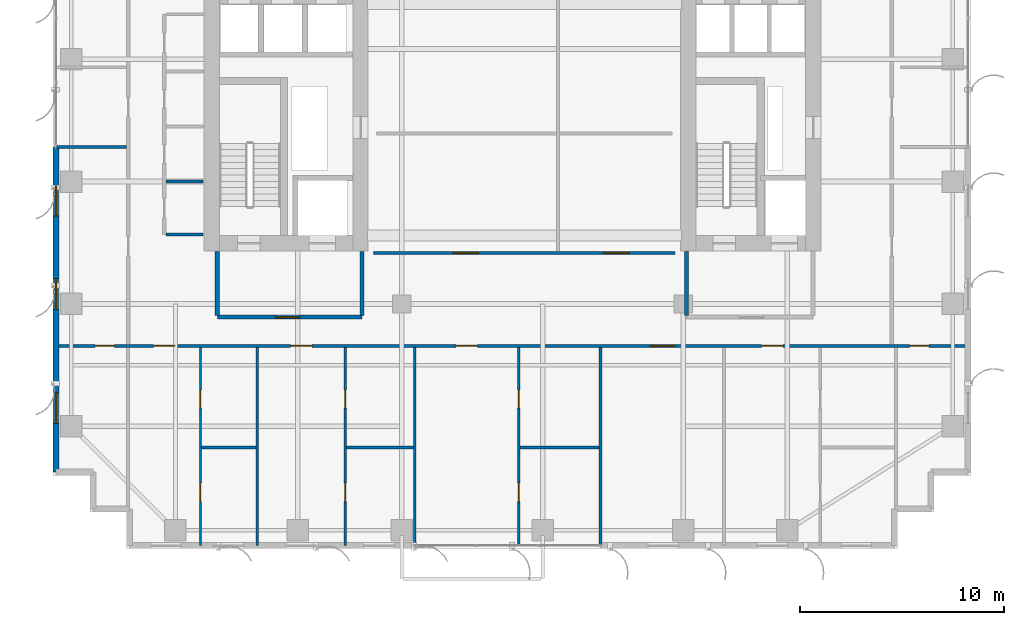
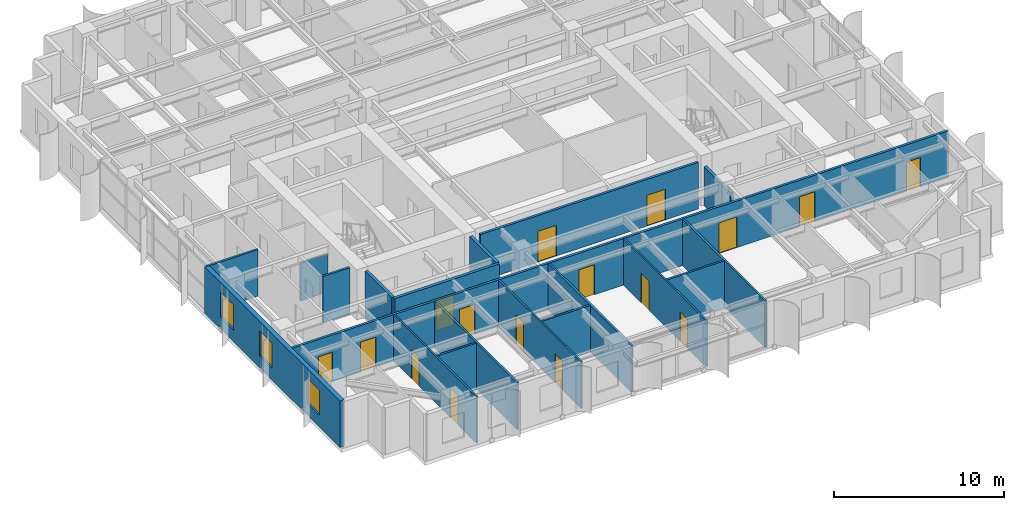
# One storey, part 18 of 25: 19 walls, 16 doors, 3 windows, 19 openings.
"""IFC4 building model written with IfcOpenShell, lengths in metres."""

from ifc_helpers import new_model, si_unit, direction, frame, frame_2d, origin, place, context, subcontext, project, spatial, rectangle, extrude, source, transform, mapped, material, layer, layer_set, type_object, element, fill, save


model = new_model("IFC4")

# Units and contexts
model_context = context("Model", 3, precision=1e-05, world=origin(), true_north=direction((0.0, 1.0)))
body_context = subcontext(model_context, "Body", "Model", "MODEL_VIEW")
ifc_project = project(units=[si_unit("LENGTHUNIT", "METRE"), si_unit("AREAUNIT", "SQUARE_METRE"), si_unit("VOLUMEUNIT", "CUBIC_METRE"), si_unit("PLANEANGLEUNIT", "RADIAN"), si_unit("MASSUNIT", "GRAM", prefix="KILO")], contexts=[model_context])

# Site, building, storey
site_placement = place(None, origin())
site = spatial("IfcSite", under=ifc_project, at=site_placement, CompositionType="ELEMENT")
building_placement = place(site_placement, origin())
building = spatial("IfcBuilding", under=site, at=building_placement, Name="Khoralis Quay Care Tower", CompositionType="ELEMENT")
storey_placement = place(building_placement, frame((0.0, 0.0, 134.10009765625)))
storey = spatial("IfcBuildingStorey", under=building, at=storey_placement, Name="L35", CompositionType="ELEMENT", Elevation=134.10009765625)

# Wall, opening, door
ifc_material_1 = material(Name="Gypsum plasterboard on acoustic metal stud")
ifc_layer_1 = layer(ifc_material_1, 0.199951171875)
ifc_layer_set_1 = layer_set([ifc_layer_1], Name="Gypsum plasterboard on acoustic metal stud")
wall_type_1 = type_object("IfcWallType", Name="WL-COMP-200", PredefinedType="PARTITIONING", material=ifc_layer_set_1)
wall_1_placement = place(storey_placement, frame((8.050048828125, 11.35009765625, 0.0), z_axis=(0.0, 0.0, 1.0), x_axis=(1.0, 0.0, 0.0)))
wall_1 = element("IfcWall", 1, at=wall_1_placement, inside=storey, type_object=wall_type_1, Name="L35 West Firefighting Lobby South Wall", PredefinedType="PARTITIONING", context=body_context, shape_type="SweptSolid", body=[
    extrude(rectangle(XDim=7.099853515625, YDim=0.199951171875, at=frame_2d((3.5498046875, 0.0))), origin(), (0.0, 0.0, 1.0), 3.33984375),
])
opening_1_placement = place(wall_1_placement, frame((2.846435546875, 0.0, 0.0)))
opening_1 = element("IfcOpeningElement", 2, at=opening_1_placement, cuts=wall_1, Name="Opening FD1", PredefinedType="OPENING", context=body_context, shape_type="SweptSolid", body=[
    extrude(rectangle(XDim=1.199951171875, YDim=2.199951171875, at=frame_2d((0.60009765625, 1.10009765625))), frame((0.0, 0.10986328125, 0.0), z_axis=(0.0, -1.0, 0.0), x_axis=(1.0, 0.0, 0.0)), (0.0, 0.0, 1.0), 0.219970703125),
])
ifc_material_2 = material(Name="Fire-rated painted steel", Category="steel")
door_type_1 = type_object("IfcDoorType", Name="DR-FFL-1200X2200", OperationType="NOTDEFINED", PredefinedType="DOOR", material=ifc_material_2)
shared_shape_1 = source(origin(), body_context, "Body", "SweptSolid", [
    extrude(rectangle(XDim=1.199951171875, YDim=2.199951171875, at=frame_2d((0.60009765625, 1.10009765625))), frame((0.0, 0.02490234375, 0.0), z_axis=(0.0, -1.0, 0.0), x_axis=(1.0, 0.0, 0.0)), (0.0, 0.0, 1.0), 0.050048828125),
])
door_1_placement = place(opening_1_placement, origin())
door_1 = element("IfcDoor", 3, at=door_1_placement, inside=storey, type_object=door_type_1, Name="L35 West Firefighting Lobby Fire Door", OperationType="SINGLE_SWING_LEFT", OverallHeight=2.199951171875, OverallWidth=1.199951171875, PredefinedType="DOOR", context=body_context, shape_type="MappedRepresentation", body=[
    mapped(shared_shape_1, transform((0.0, 0.0, 0.0), scale=1.0)),
])
fill(opening_1, door_1)

# Walls
for number, where, z_axis, x_axis, name in (
    (4, (8.050048828125, 11.445068359375, 0.0), (0.0, 0.0, 1.0), (0.0, 1.0, 0.0), "L35 West Firefighting Lobby West Wall"),
    (5, (15.14990234375, 11.445068359375, 0.0), (0.0, 0.0, 1.0), (0.0, 1.0, 0.0), "L35 West Firefighting Lobby East Wall"),
):
    element("IfcWall", number, at=place(storey_placement, frame(where, z_axis=z_axis, x_axis=x_axis)), inside=storey, type_object=wall_type_1, Name=name, PredefinedType="PARTITIONING", context=body_context, shape_type="SweptSolid", body=[
        extrude(rectangle(XDim=3.135009765625, YDim=0.199951171875, at=frame_2d((1.5673828125, 0.0))), origin(), (0.0, 0.0, 1.0), 3.33984375),
    ])
wall_2_placement = place(storey_placement, frame((31.050048828125, 11.445068359375, 0.0), z_axis=(0.0, 0.0, 1.0), x_axis=(0.0, 1.0, 0.0)))
element("IfcWall", 6, at=wall_2_placement, inside=storey, type_object=wall_type_1, Name="L35 East Firefighting Lobby West Wall", PredefinedType="PARTITIONING", context=body_context, shape_type="SweptSolid", body=[
    extrude(rectangle(XDim=3.135009765625, YDim=0.199951171875, at=frame_2d((1.5673828125, 0.0))), origin(), (0.0, 0.0, 1.0), 2.7958984375),
])

# Wall, openings, doors
ifc_layer_2 = layer(ifc_material_1, 0.1650390625)
ifc_layer_set_2 = layer_set([ifc_layer_2], Name="Gypsum plasterboard on acoustic metal stud")
wall_type_2 = type_object("IfcWallType", Name="WL-CORR-165", PredefinedType="PARTITIONING", material=ifc_layer_set_2)
wall_3_placement = place(storey_placement, frame((0.14501953125, 9.93994140625, 0.0), z_axis=(0.0, 0.0, 1.0), x_axis=(1.0, 0.0, 0.0)))
wall_3 = element("IfcWall", 7, at=wall_3_placement, inside=storey, type_object=wall_type_2, Name="L35 South Main Corridor Wall", PredefinedType="PARTITIONING", context=body_context, shape_type="SweptSolid", body=[
    extrude(rectangle(XDim=44.7099609375, YDim=0.1650390625, at=frame_2d((22.35498046875, 0.0))), origin(), (0.0, 0.0, 1.0), 3.33984375),
])
opening_2_placement = place(wall_3_placement, frame((4.782470703125, 0.0, 0.0)))
opening_2 = element("IfcOpeningElement", 8, at=opening_2_placement, cuts=wall_3, Name="Opening UD1", PredefinedType="OPENING", context=body_context, shape_type="SweptSolid", body=[
    extrude(rectangle(XDim=1.050048828125, YDim=2.14990234375, at=frame_2d((0.52490234375, 1.074951171875))), frame((0.0, 0.092529296875, 0.0), z_axis=(0.0, -1.0, 0.0), x_axis=(1.0, 0.0, 0.0)), (0.0, 0.0, 1.0), 0.18505859375),
])
opening_3_placement = place(wall_3_placement, frame((11.50146484375, 0.0, 0.0)))
opening_3 = element("IfcOpeningElement", 9, at=opening_3_placement, cuts=wall_3, Name="Opening UD1", PredefinedType="OPENING", context=body_context, shape_type="SweptSolid", body=[
    extrude(rectangle(XDim=1.050048828125, YDim=2.14990234375, at=frame_2d((0.52490234375, 1.074951171875))), frame((0.0, 0.092529296875, 0.0), z_axis=(0.0, -1.0, 0.0), x_axis=(1.0, 0.0, 0.0)), (0.0, 0.0, 1.0), 0.18505859375),
])
opening_4_placement = place(wall_3_placement, frame((19.611083984375, 0.0, 0.0)))
opening_4 = element("IfcOpeningElement", 10, at=opening_4_placement, cuts=wall_3, Name="Opening UD1", PredefinedType="OPENING", context=body_context, shape_type="SweptSolid", body=[
    extrude(rectangle(XDim=1.050048828125, YDim=2.14990234375, at=frame_2d((0.52490234375, 1.074951171875))), frame((0.0, 0.092529296875, 0.0), z_axis=(0.0, -1.0, 0.0), x_axis=(1.0, 0.0, 0.0)), (0.0, 0.0, 1.0), 0.18505859375),
])
opening_5_placement = place(wall_3_placement, frame((29.125, 0.0, 0.0)))
opening_5 = element("IfcOpeningElement", 11, at=opening_5_placement, cuts=wall_3, Name="Opening FD1", PredefinedType="OPENING", context=body_context, shape_type="SweptSolid", body=[
    extrude(rectangle(XDim=1.199951171875, YDim=2.199951171875, at=frame_2d((0.60009765625, 1.10009765625))), frame((0.0, 0.092529296875, 0.0), z_axis=(0.0, -1.0, 0.0), x_axis=(1.0, 0.0, 0.0)), (0.0, 0.0, 1.0), 0.18505859375),
])
opening_6_placement = place(wall_3_placement, frame((34.58740234375, 0.0, 0.0)))
opening_6 = element("IfcOpeningElement", 12, at=opening_6_placement, cuts=wall_3, Name="Opening UD1", PredefinedType="OPENING", context=body_context, shape_type="SweptSolid", body=[
    extrude(rectangle(XDim=1.050048828125, YDim=2.14990234375, at=frame_2d((0.52490234375, 1.074951171875))), frame((0.0, 0.092529296875, 0.0), z_axis=(0.0, -1.0, 0.0), x_axis=(1.0, 0.0, 0.0)), (0.0, 0.0, 1.0), 0.18505859375),
])
opening_7_placement = place(wall_3_placement, frame((1.919921875, 0.0, 0.0)))
opening_7 = element("IfcOpeningElement", 13, at=opening_7_placement, cuts=wall_3, Name="Opening ID1", PredefinedType="OPENING", context=body_context, shape_type="SweptSolid", body=[
    extrude(rectangle(XDim=0.949951171875, YDim=2.10009765625, at=frame_2d((0.47509765625, 1.050048828125))), frame((0.0, 0.092529296875, 0.0), z_axis=(0.0, -1.0, 0.0), x_axis=(1.0, 0.0, 0.0)), (0.0, 0.0, 1.0), 0.18505859375),
])
opening_8_placement = place(wall_3_placement, frame((41.840087890625, 0.0, 0.0)))
opening_8 = element("IfcOpeningElement", 14, at=opening_8_placement, cuts=wall_3, Name="Opening ID1", PredefinedType="OPENING", context=body_context, shape_type="SweptSolid", body=[
    extrude(rectangle(XDim=0.949951171875, YDim=2.10009765625, at=frame_2d((0.47509765625, 1.050048828125))), frame((0.0, 0.092529296875, 0.0), z_axis=(0.0, -1.0, 0.0), x_axis=(1.0, 0.0, 0.0)), (0.0, 0.0, 1.0), 0.18505859375),
])
door_2_placement = place(opening_5_placement, frame((1.199951171875, 0.0, 0.0), z_axis=(0.0, 0.0, 1.0), x_axis=(-1.0, 0.0, 0.0)))
door_2 = element("IfcDoor", 15, at=door_2_placement, inside=storey, type_object=door_type_1, Name="L35 Assisted Communal Dining Room Door", OperationType="DOUBLE_DOOR_SINGLE_SWING", OverallHeight=2.199951171875, OverallWidth=1.199951171875, PredefinedType="DOOR", context=body_context, shape_type="MappedRepresentation", body=[
    mapped(shared_shape_1, transform((0.0, 0.0, 0.0), scale=1.0)),
])
fill(opening_5, door_2)
ifc_material_3 = material(Name="Acoustic hardwood timber", Category="wood")
door_type_2 = type_object("IfcDoorType", Name="DR-ROOM-950X2100", OperationType="NOTDEFINED", PredefinedType="DOOR", material=ifc_material_3)
shared_shape_2 = source(origin(), body_context, "Body", "SweptSolid", [
    extrude(rectangle(XDim=0.949951171875, YDim=2.10009765625, at=frame_2d((0.47509765625, 1.050048828125))), frame((0.0, 0.02490234375, 0.0), z_axis=(0.0, -1.0, 0.0), x_axis=(1.0, 0.0, 0.0)), (0.0, 0.0, 1.0), 0.050048828125),
])
door_3_placement = place(opening_7_placement, frame((0.949951171875, 0.0, 0.0), z_axis=(0.0, 0.0, 1.0), x_axis=(-1.0, 0.0, 0.0)))
door_3 = element("IfcDoor", 16, at=door_3_placement, inside=storey, type_object=door_type_2, Name="L35 SW Corner Door", OperationType="SINGLE_SWING_LEFT", OverallHeight=2.10009765625, OverallWidth=0.949951171875, PredefinedType="DOOR", context=body_context, shape_type="MappedRepresentation", body=[
    mapped(shared_shape_2, transform((0.0, 0.0, 0.0), scale=1.0)),
])
fill(opening_7, door_3)
door_4_placement = place(opening_8_placement, frame((0.949951171875, 0.0, 0.0), z_axis=(0.0, 0.0, 1.0), x_axis=(-1.0, 0.0, 0.0)))
door_4 = element("IfcDoor", 17, at=door_4_placement, inside=storey, type_object=door_type_2, Name="L35 SE Corner Door", OperationType="SINGLE_SWING_RIGHT", OverallHeight=2.10009765625, OverallWidth=0.949951171875, PredefinedType="DOOR", context=body_context, shape_type="MappedRepresentation", body=[
    mapped(shared_shape_2, transform((0.0, 0.0, 0.0), scale=1.0)),
])
fill(opening_8, door_4)
door_type_3 = type_object("IfcDoorType", Name="DR-SUITE-1050X2150", OperationType="NOTDEFINED", PredefinedType="DOOR", material=ifc_material_3)
shared_shape_3 = source(origin(), body_context, "Body", "SweptSolid", [
    extrude(rectangle(XDim=1.050048828125, YDim=2.14990234375, at=frame_2d((0.52490234375, 1.074951171875))), frame((0.0, 0.02490234375, 0.0), z_axis=(0.0, -1.0, 0.0), x_axis=(1.0, 0.0, 0.0)), (0.0, 0.0, 1.0), 0.050048828125),
])
door_5_placement = place(opening_2_placement, frame((1.050048828125, 0.0, 0.0), z_axis=(0.0, 0.0, 1.0), x_axis=(-1.0, 0.0, 0.0)))
door_5 = element("IfcDoor", 18, at=door_5_placement, inside=storey, type_object=door_type_3, Name="L35 Studio SB0 Entrance", OperationType="SINGLE_SWING_LEFT", OverallHeight=2.14990234375, OverallWidth=1.050048828125, PredefinedType="DOOR", context=body_context, shape_type="MappedRepresentation", body=[
    mapped(shared_shape_3, transform((0.0, 0.0, 0.0), scale=1.0)),
])
fill(opening_2, door_5)
door_6_placement = place(opening_3_placement, frame((1.050048828125, 0.0, 0.0), z_axis=(0.0, 0.0, 1.0), x_axis=(-1.0, 0.0, 0.0)))
door_6 = element("IfcDoor", 19, at=door_6_placement, inside=storey, type_object=door_type_3, Name="L35 Studio SB1 Entrance", OperationType="SINGLE_SWING_RIGHT", OverallHeight=2.14990234375, OverallWidth=1.050048828125, PredefinedType="DOOR", context=body_context, shape_type="MappedRepresentation", body=[
    mapped(shared_shape_3, transform((0.0, 0.0, 0.0), scale=1.0)),
])
fill(opening_3, door_6)
door_7_placement = place(opening_4_placement, frame((1.050048828125, 0.0, 0.0), z_axis=(0.0, 0.0, 1.0), x_axis=(-1.0, 0.0, 0.0)))
door_7 = element("IfcDoor", 20, at=door_7_placement, inside=storey, type_object=door_type_3, Name="L35 Studio SB2 Entrance", OperationType="SINGLE_SWING_LEFT", OverallHeight=2.14990234375, OverallWidth=1.050048828125, PredefinedType="DOOR", context=body_context, shape_type="MappedRepresentation", body=[
    mapped(shared_shape_3, transform((0.0, 0.0, 0.0), scale=1.0)),
])
fill(opening_4, door_7)
door_8_placement = place(opening_6_placement, frame((1.050048828125, 0.0, 0.0), z_axis=(0.0, 0.0, 1.0), x_axis=(-1.0, 0.0, 0.0)))
door_8 = element("IfcDoor", 21, at=door_8_placement, inside=storey, type_object=door_type_3, Name="L35 Studio SB4 Entrance", OperationType="SINGLE_SWING_LEFT", OverallHeight=2.14990234375, OverallWidth=1.050048828125, PredefinedType="DOOR", context=body_context, shape_type="MappedRepresentation", body=[
    mapped(shared_shape_3, transform((0.0, 0.0, 0.0), scale=1.0)),
])
fill(opening_6, door_8)

wall_4_placement = place(storey_placement, frame((15.699951171875, 14.5, 0.0), z_axis=(0.0, 0.0, 1.0), x_axis=(1.0, 0.0, 0.0)))
wall_4 = element("IfcWall", 22, at=wall_4_placement, inside=storey, type_object=wall_type_2, Name="L35 Central Clinical South Wall", PredefinedType="PARTITIONING", context=body_context, shape_type="SweptSolid", body=[
    extrude(rectangle(XDim=14.800048828125, YDim=0.1650390625, at=frame_2d((7.39990234375, 0.0))), origin(), (0.0, 0.0, 1.0), 3.33984375),
])
opening_9_placement = place(wall_4_placement, frame((3.89990234375, 0.0, 0.0)))
opening_9 = element("IfcOpeningElement", 23, at=opening_9_placement, cuts=wall_4, Name="Opening CD1", PredefinedType="OPENING", context=body_context, shape_type="SweptSolid", body=[
    extrude(rectangle(XDim=1.25, YDim=2.199951171875, at=frame_2d((0.625, 1.10009765625))), frame((0.0, 0.092529296875, 0.0), z_axis=(0.0, -1.0, 0.0), x_axis=(1.0, 0.0, 0.0)), (0.0, 0.0, 1.0), 0.18505859375),
])
opening_10_placement = place(wall_4_placement, frame((11.300048828125, 0.0, 0.0)))
opening_10 = element("IfcOpeningElement", 24, at=opening_10_placement, cuts=wall_4, Name="Opening CD1", PredefinedType="OPENING", context=body_context, shape_type="SweptSolid", body=[
    extrude(rectangle(XDim=1.25, YDim=2.199951171875, at=frame_2d((0.625, 1.10009765625))), frame((0.0, 0.092529296875, 0.0), z_axis=(0.0, -1.0, 0.0), x_axis=(1.0, 0.0, 0.0)), (0.0, 0.0, 1.0), 0.18505859375),
])
door_type_4 = type_object("IfcDoorType", Name="DR-CARE-1250X2200", OperationType="NOTDEFINED", PredefinedType="DOOR", material=ifc_material_3)
shared_shape_4 = source(origin(), body_context, "Body", "SweptSolid", [
    extrude(rectangle(XDim=1.25, YDim=2.199951171875, at=frame_2d((0.625, 1.10009765625))), frame((0.0, 0.02490234375, 0.0), z_axis=(0.0, -1.0, 0.0), x_axis=(1.0, 0.0, 0.0)), (0.0, 0.0, 1.0), 0.050048828125),
])
door_9_placement = place(opening_9_placement, origin())
door_9 = element("IfcDoor", 25, at=door_9_placement, inside=storey, type_object=door_type_4, Name="L35 Nurse Station Door", OperationType="SINGLE_SWING_LEFT", OverallHeight=2.199951171875, OverallWidth=1.25, PredefinedType="DOOR", context=body_context, shape_type="MappedRepresentation", body=[
    mapped(shared_shape_4, transform((0.0, 0.0, 0.0), scale=1.0)),
])
fill(opening_9, door_9)
door_10_placement = place(opening_10_placement, origin())
door_10 = element("IfcDoor", 26, at=door_10_placement, inside=storey, type_object=door_type_4, Name="L35 Treatment Clinic Door", OperationType="SINGLE_SWING_RIGHT", OverallHeight=2.199951171875, OverallWidth=1.25, PredefinedType="DOOR", context=body_context, shape_type="MappedRepresentation", body=[
    mapped(shared_shape_4, transform((0.0, 0.0, 0.0), scale=1.0)),
])
fill(opening_10, door_10)

# Wall, openings, windows
ifc_material_4 = material(Name="Precast concrete C45/55", Category="concrete")
ifc_layer_3 = layer(ifc_material_4, 0.300048828125)
ifc_layer_set_3 = layer_set([ifc_layer_3], Name="Precast concrete C45/55")
wall_type_3 = type_object("IfcWallType", Name="WL-EXT-REF-300", PredefinedType="SOLIDWALL", material=ifc_layer_set_3)
wall_5_placement = place(storey_placement, frame((0.14990234375, 19.699951171875, 0.0), z_axis=(0.0, 0.0, 1.0), x_axis=(0.0, -1.0, 0.0)))
wall_5 = element("IfcWall", 27, at=wall_5_placement, inside=storey, type_object=wall_type_3, Name="L35 External Facade Wall WL-EXT-L35-P1-E15B", PredefinedType="SOLIDWALL", context=body_context, shape_type="SweptSolid", body=[
    extrude(rectangle(XDim=15.949951171875, YDim=0.300048828125, at=frame_2d((7.97509765625, 0.0))), origin(), (0.0, 0.0, 1.0), 3.33984375),
])
opening_11_placement = place(wall_5_placement, frame((1.89501953125, 0.0, 0.85009765625)))
opening_11 = element("IfcOpeningElement", 28, at=opening_11_placement, cuts=wall_5, Name="Opening W3", PredefinedType="OPENING", context=body_context, shape_type="SweptSolid", body=[
    extrude(rectangle(XDim=1.5, YDim=1.800048828125, at=frame_2d((0.75, 0.89990234375))), frame((0.0, 0.16015625, 0.0), z_axis=(0.0, -1.0, 0.0), x_axis=(1.0, 0.0, 0.0)), (0.0, 0.0, 1.0), 0.320068359375),
])
opening_12_placement = place(wall_5_placement, frame((6.465087890625, 0.0, 0.85009765625)))
opening_12 = element("IfcOpeningElement", 29, at=opening_12_placement, cuts=wall_5, Name="Opening W3", PredefinedType="OPENING", context=body_context, shape_type="SweptSolid", body=[
    extrude(rectangle(XDim=1.5, YDim=1.800048828125, at=frame_2d((0.75, 0.89990234375))), frame((0.0, 0.16015625, 0.0), z_axis=(0.0, -1.0, 0.0), x_axis=(1.0, 0.0, 0.0)), (0.0, 0.0, 1.0), 0.320068359375),
])
opening_13_placement = place(wall_5_placement, frame((12.054931640625, 0.0, 0.85009765625)))
opening_13 = element("IfcOpeningElement", 30, at=opening_13_placement, cuts=wall_5, Name="Opening W3", PredefinedType="OPENING", context=body_context, shape_type="SweptSolid", body=[
    extrude(rectangle(XDim=1.5, YDim=1.800048828125, at=frame_2d((0.75, 0.89990234375))), frame((0.0, 0.16015625, 0.0), z_axis=(0.0, -1.0, 0.0), x_axis=(1.0, 0.0, 0.0)), (0.0, 0.0, 1.0), 0.320068359375),
])
ifc_material_5 = material(Name="Low-E solar-control double glazing", Category="glass")
window_type = type_object("IfcWindowType", Name="WN-CLIN-1500X1800", PartitioningType="SINGLE_PANEL", PredefinedType="WINDOW", material=ifc_material_5)
shared_shape_5 = source(origin(), body_context, "Body", "SweptSolid", [
    extrude(rectangle(XDim=1.5, YDim=1.800048828125, at=frame_2d((0.75, 0.89990234375))), frame((0.0, 0.030029296875, 0.0), z_axis=(0.0, -1.0, 0.0), x_axis=(1.0, 0.0, 0.0)), (0.0, 0.0, 1.0), 0.06005859375),
])
window_1_placement = place(opening_11_placement, origin())
window_1 = element("IfcWindow", 31, at=window_1_placement, inside=storey, type_object=window_type, Name="WN-L35-P1-E15B Facade Window 01", OverallHeight=1.800048828125, OverallWidth=1.5, PartitioningType="SINGLE_PANEL", PredefinedType="WINDOW", context=body_context, shape_type="MappedRepresentation", body=[
    mapped(shared_shape_5, transform((0.0, 0.0, 0.0), scale=1.0)),
])
fill(opening_11, window_1)
window_2_placement = place(opening_12_placement, origin())
window_2 = element("IfcWindow", 32, at=window_2_placement, inside=storey, type_object=window_type, Name="WN-L35-P1-E15B Facade Window 02", OverallHeight=1.800048828125, OverallWidth=1.5, PartitioningType="SINGLE_PANEL", PredefinedType="WINDOW", context=body_context, shape_type="MappedRepresentation", body=[
    mapped(shared_shape_5, transform((0.0, 0.0, 0.0), scale=1.0)),
])
fill(opening_12, window_2)
window_3_placement = place(opening_13_placement, origin())
window_3 = element("IfcWindow", 33, at=window_3_placement, inside=storey, type_object=window_type, Name="WN-L35-P1-E15B Facade Window 03", OverallHeight=1.800048828125, OverallWidth=1.5, PartitioningType="SINGLE_PANEL", PredefinedType="WINDOW", context=body_context, shape_type="MappedRepresentation", body=[
    mapped(shared_shape_5, transform((0.0, 0.0, 0.0), scale=1.0)),
])
fill(opening_13, window_3)

# Wall, openings, doors
ifc_layer_4 = layer(ifc_material_1, 0.114990234375)
ifc_layer_set_4 = layer_set([ifc_layer_4], Name="Gypsum plasterboard on acoustic metal stud")
wall_type_4 = type_object("IfcWallType", Name="WL-PART-115", PredefinedType="PARTITIONING", material=ifc_layer_set_4)
wall_6_placement = place(storey_placement, frame((7.22509765625, 0.14501953125, 0.0), z_axis=(0.0, 0.0, 1.0), x_axis=(0.0, 1.0, 0.0)))
wall_6 = element("IfcWall", 34, at=wall_6_placement, inside=storey, type_object=wall_type_4, Name="L35 Studio 0 Internal Wall", PredefinedType="PARTITIONING", context=body_context, shape_type="SweptSolid", body=[
    extrude(rectangle(XDim=9.717529296875, YDim=0.114990234375, at=frame_2d((4.85888671875, 0.0))), origin(), (0.0, 0.0, 1.0), 3.33984375),
])
opening_14_placement = place(wall_6_placement, frame((2.1650390625, 0.0, 0.0)))
opening_14 = element("IfcOpeningElement", 35, at=opening_14_placement, cuts=wall_6, Name="Opening WD1", PredefinedType="OPENING", context=body_context, shape_type="SweptSolid", body=[
    extrude(rectangle(XDim=0.89990234375, YDim=2.10009765625, at=frame_2d((0.449951171875, 1.050048828125))), frame((0.0, 0.0673828125, 0.0), z_axis=(0.0, -1.0, 0.0), x_axis=(1.0, 0.0, 0.0)), (0.0, 0.0, 1.0), 0.135009765625),
])
opening_15_placement = place(wall_6_placement, frame((6.7451171875, 0.0, 0.0)))
opening_15 = element("IfcOpeningElement", 36, at=opening_15_placement, cuts=wall_6, Name="Opening WD1", PredefinedType="OPENING", context=body_context, shape_type="SweptSolid", body=[
    extrude(rectangle(XDim=0.89990234375, YDim=2.10009765625, at=frame_2d((0.449951171875, 1.050048828125))), frame((0.0, 0.0673828125, 0.0), z_axis=(0.0, -1.0, 0.0), x_axis=(1.0, 0.0, 0.0)), (0.0, 0.0, 1.0), 0.135009765625),
])
door_type_5 = type_object("IfcDoorType", Name="DR-BATH-900X2100", OperationType="NOTDEFINED", PredefinedType="DOOR", material=ifc_material_3)
shared_shape_6 = source(origin(), body_context, "Body", "SweptSolid", [
    extrude(rectangle(XDim=0.89990234375, YDim=2.10009765625, at=frame_2d((0.449951171875, 1.050048828125))), frame((0.0, 0.02490234375, 0.0), z_axis=(0.0, -1.0, 0.0), x_axis=(1.0, 0.0, 0.0)), (0.0, 0.0, 1.0), 0.050048828125),
])
door_11_placement = place(opening_14_placement, frame((0.89990234375, 0.0, 0.0), z_axis=(0.0, 0.0, 1.0), x_axis=(-1.0, 0.0, 0.0)))
door_11 = element("IfcDoor", 37, at=door_11_placement, inside=storey, type_object=door_type_5, Name="L35 Studio SKT Door", OperationType="SINGLE_SWING_RIGHT", OverallHeight=2.10009765625, OverallWidth=0.89990234375, PredefinedType="DOOR", context=body_context, shape_type="MappedRepresentation", body=[
    mapped(shared_shape_6, transform((0.0, 0.0, 0.0), scale=1.0)),
])
fill(opening_14, door_11)
door_12_placement = place(opening_15_placement, frame((0.89990234375, 0.0, 0.0), z_axis=(0.0, 0.0, 1.0), x_axis=(-1.0, 0.0, 0.0)))
door_12 = element("IfcDoor", 38, at=door_12_placement, inside=storey, type_object=door_type_5, Name="L35 Studio SBH Door", OperationType="SINGLE_SWING_LEFT", OverallHeight=2.10009765625, OverallWidth=0.89990234375, PredefinedType="DOOR", context=body_context, shape_type="MappedRepresentation", body=[
    mapped(shared_shape_6, transform((0.0, 0.0, 0.0), scale=1.0)),
])
fill(opening_15, door_12)

wall_7_placement = place(storey_placement, frame((14.3330078125, 0.14501953125, 0.0), z_axis=(0.0, 0.0, 1.0), x_axis=(0.0, 1.0, 0.0)))
wall_7 = element("IfcWall", 39, at=wall_7_placement, inside=storey, type_object=wall_type_4, Name="L35 Studio 1 Internal Wall", PredefinedType="PARTITIONING", context=body_context, shape_type="SweptSolid", body=[
    extrude(rectangle(XDim=9.717529296875, YDim=0.114990234375, at=frame_2d((4.85888671875, 0.0))), origin(), (0.0, 0.0, 1.0), 3.33984375),
])
opening_16_placement = place(wall_7_placement, frame((2.1650390625, 0.0, 0.0)))
opening_16 = element("IfcOpeningElement", 40, at=opening_16_placement, cuts=wall_7, Name="Opening WD1", PredefinedType="OPENING", context=body_context, shape_type="SweptSolid", body=[
    extrude(rectangle(XDim=0.89990234375, YDim=2.10009765625, at=frame_2d((0.449951171875, 1.050048828125))), frame((0.0, 0.0673828125, 0.0), z_axis=(0.0, -1.0, 0.0), x_axis=(1.0, 0.0, 0.0)), (0.0, 0.0, 1.0), 0.135009765625),
])
opening_17_placement = place(wall_7_placement, frame((6.7451171875, 0.0, 0.0)))
opening_17 = element("IfcOpeningElement", 41, at=opening_17_placement, cuts=wall_7, Name="Opening WD1", PredefinedType="OPENING", context=body_context, shape_type="SweptSolid", body=[
    extrude(rectangle(XDim=0.89990234375, YDim=2.10009765625, at=frame_2d((0.449951171875, 1.050048828125))), frame((0.0, 0.0673828125, 0.0), z_axis=(0.0, -1.0, 0.0), x_axis=(1.0, 0.0, 0.0)), (0.0, 0.0, 1.0), 0.135009765625),
])
door_13_placement = place(opening_16_placement, frame((0.89990234375, 0.0, 0.0), z_axis=(0.0, 0.0, 1.0), x_axis=(-1.0, 0.0, 0.0)))
door_13 = element("IfcDoor", 42, at=door_13_placement, inside=storey, type_object=door_type_5, Name="L35 Studio SKT Door", OperationType="SINGLE_SWING_LEFT", OverallHeight=2.10009765625, OverallWidth=0.89990234375, PredefinedType="DOOR", context=body_context, shape_type="MappedRepresentation", body=[
    mapped(shared_shape_6, transform((0.0, 0.0, 0.0), scale=1.0)),
])
fill(opening_16, door_13)
door_14_placement = place(opening_17_placement, frame((0.89990234375, 0.0, 0.0), z_axis=(0.0, 0.0, 1.0), x_axis=(-1.0, 0.0, 0.0)))
door_14 = element("IfcDoor", 43, at=door_14_placement, inside=storey, type_object=door_type_5, Name="L35 Studio SBH Door", OperationType="SINGLE_SWING_RIGHT", OverallHeight=2.10009765625, OverallWidth=0.89990234375, PredefinedType="DOOR", context=body_context, shape_type="MappedRepresentation", body=[
    mapped(shared_shape_6, transform((0.0, 0.0, 0.0), scale=1.0)),
])
fill(opening_17, door_14)

wall_8_placement = place(storey_placement, frame((22.83203125, 0.14501953125, 0.0), z_axis=(0.0, 0.0, 1.0), x_axis=(0.0, 1.0, 0.0)))
wall_8 = element("IfcWall", 44, at=wall_8_placement, inside=storey, type_object=wall_type_4, Name="L35 Studio 2 Internal Wall", PredefinedType="PARTITIONING", context=body_context, shape_type="SweptSolid", body=[
    extrude(rectangle(XDim=9.717529296875, YDim=0.114990234375, at=frame_2d((4.85888671875, 0.0))), origin(), (0.0, 0.0, 1.0), 3.33984375),
])
opening_18_placement = place(wall_8_placement, frame((2.1650390625, 0.0, 0.0)))
opening_18 = element("IfcOpeningElement", 45, at=opening_18_placement, cuts=wall_8, Name="Opening WD1", PredefinedType="OPENING", context=body_context, shape_type="SweptSolid", body=[
    extrude(rectangle(XDim=0.89990234375, YDim=2.10009765625, at=frame_2d((0.449951171875, 1.050048828125))), frame((0.0, 0.0673828125, 0.0), z_axis=(0.0, -1.0, 0.0), x_axis=(1.0, 0.0, 0.0)), (0.0, 0.0, 1.0), 0.135009765625),
])
opening_19_placement = place(wall_8_placement, frame((6.7451171875, 0.0, 0.0)))
opening_19 = element("IfcOpeningElement", 46, at=opening_19_placement, cuts=wall_8, Name="Opening WD1", PredefinedType="OPENING", context=body_context, shape_type="SweptSolid", body=[
    extrude(rectangle(XDim=0.89990234375, YDim=2.10009765625, at=frame_2d((0.449951171875, 1.050048828125))), frame((0.0, 0.0673828125, 0.0), z_axis=(0.0, -1.0, 0.0), x_axis=(1.0, 0.0, 0.0)), (0.0, 0.0, 1.0), 0.135009765625),
])
door_15_placement = place(opening_18_placement, frame((0.89990234375, 0.0, 0.0), z_axis=(0.0, 0.0, 1.0), x_axis=(-1.0, 0.0, 0.0)))
door_15 = element("IfcDoor", 47, at=door_15_placement, inside=storey, type_object=door_type_5, Name="L35 Studio SKT Door", OperationType="SINGLE_SWING_RIGHT", OverallHeight=2.10009765625, OverallWidth=0.89990234375, PredefinedType="DOOR", context=body_context, shape_type="MappedRepresentation", body=[
    mapped(shared_shape_6, transform((0.0, 0.0, 0.0), scale=1.0)),
])
fill(opening_18, door_15)
door_16_placement = place(opening_19_placement, frame((0.89990234375, 0.0, 0.0), z_axis=(0.0, 0.0, 1.0), x_axis=(-1.0, 0.0, 0.0)))
door_16 = element("IfcDoor", 48, at=door_16_placement, inside=storey, type_object=door_type_5, Name="L35 Studio SBH Door", OperationType="SINGLE_SWING_LEFT", OverallHeight=2.10009765625, OverallWidth=0.89990234375, PredefinedType="DOOR", context=body_context, shape_type="MappedRepresentation", body=[
    mapped(shared_shape_6, transform((0.0, 0.0, 0.0), scale=1.0)),
])
fill(opening_19, door_16)

# Walls
ifc_material_6 = material(Name="Moisture-resistant gypsum and ceramic tile")
ifc_layer_5 = layer(ifc_material_6, 0.280029296875)
ifc_layer_set_5 = layer_set([ifc_layer_5], Name="Moisture-resistant gypsum and ceramic tile")
wall_type_5 = type_object("IfcWallType", Name="WL-PLUMB-280", PredefinedType="PLUMBINGWALL", material=ifc_layer_set_5)
wall_9_placement = place(storey_placement, frame((5.527587890625, 18.0, 0.0), z_axis=(0.0, 0.0, 1.0), x_axis=(1.0, 0.0, 0.0)))
element("IfcWall", 49, at=wall_9_placement, inside=storey, type_object=wall_type_5, Name="L35 West Flank Divider 1", PredefinedType="PLUMBINGWALL", context=body_context, shape_type="SweptSolid", body=[
    extrude(rectangle(XDim=1.83251953125, YDim=0.139892578125, at=frame_2d((0.916259765625, 0.0))), origin(), (0.0, 0.0, 1.0), 2.722900390625),
])
wall_10_placement = place(storey_placement, frame((7.277587890625, 4.969970703125, 0.0), z_axis=(0.0, 0.0, 1.0), x_axis=(1.0, 0.0, 0.0)))
element("IfcWall", 50, at=wall_10_placement, inside=storey, type_object=wall_type_5, Name="L35 Studio 0 Wet Split", PredefinedType="PLUMBINGWALL", context=body_context, shape_type="SweptSolid", body=[
    extrude(rectangle(XDim=2.66748046875, YDim=0.139892578125, at=frame_2d((1.333740234375, 0.0))), origin(), (0.0, 0.0, 1.0), 3.33984375),
])
wall_11_placement = place(storey_placement, frame((14.385498046875, 4.969970703125, 0.0), z_axis=(0.0, 0.0, 1.0), x_axis=(1.0, 0.0, 0.0)))
element("IfcWall", 51, at=wall_11_placement, inside=storey, type_object=wall_type_5, Name="L35 Studio 1 Wet Split", PredefinedType="PLUMBINGWALL", context=body_context, shape_type="SweptSolid", body=[
    extrude(rectangle(XDim=3.279541015625, YDim=0.139892578125, at=frame_2d((1.6396484375, 0.0))), origin(), (0.0, 0.0, 1.0), 3.33984375),
])
wall_12_placement = place(storey_placement, frame((22.884521484375, 4.969970703125, 0.0), z_axis=(0.0, 0.0, 1.0), x_axis=(1.0, 0.0, 0.0)))
element("IfcWall", 52, at=wall_12_placement, inside=storey, type_object=wall_type_5, Name="L35 Studio 2 Wet Split", PredefinedType="PLUMBINGWALL", context=body_context, shape_type="SweptSolid", body=[
    extrude(rectangle(XDim=3.890380859375, YDim=0.139892578125, at=frame_2d((1.9453125, 0.0))), origin(), (0.0, 0.0, 1.0), 3.33984375),
])
ifc_layer_6 = layer(ifc_material_1, 0.139892578125)
ifc_layer_set_6 = layer_set([ifc_layer_6], Name="Gypsum plasterboard on acoustic metal stud")
wall_type_6 = type_object("IfcWallType", Name="WL-UNIT-140", PredefinedType="PARTITIONING", material=ifc_layer_set_6)
wall_13_placement = place(storey_placement, frame((5.527587890625, 15.39990234375, 0.0), z_axis=(0.0, 0.0, 1.0), x_axis=(1.0, 0.0, 0.0)))
element("IfcWall", 53, at=wall_13_placement, inside=storey, type_object=wall_type_6, Name="L35 West Flank South Cap", PredefinedType="PARTITIONING", context=body_context, shape_type="SweptSolid", body=[
    extrude(rectangle(XDim=1.83251953125, YDim=0.139892578125, at=frame_2d((0.916259765625, 0.0))), origin(), (0.0, 0.0, 1.0), 3.33984375),
])
wall_14_placement = place(storey_placement, frame((0.14501953125, 19.699951171875, 0.0), z_axis=(0.0, 0.0, 1.0), x_axis=(1.0, 0.0, 0.0)))
element("IfcWall", 54, at=wall_14_placement, inside=storey, type_object=wall_type_6, Name="L35 WW Divider 1", PredefinedType="PARTITIONING", context=body_context, shape_type="SweptSolid", body=[
    extrude(rectangle(XDim=3.45751953125, YDim=0.139892578125, at=frame_2d((1.728759765625, 0.0))), origin(), (0.0, 0.0, 1.0), 3.33984375),
])
for number, where, z_axis, x_axis, name in (
    (55, (10.010009765625, 0.14501953125, 0.0), (0.0, 0.0, 1.0), (0.0, 1.0, 0.0), "L35 SB Demising Wall 1"),
    (56, (17.72998046875, 0.14501953125, 0.0), (0.0, 0.0, 1.0), (0.0, 1.0, 0.0), "L35 SB Demising Wall 2"),
    (57, (26.840087890625, 0.14501953125, 0.0), (0.0, 0.0, 1.0), (0.0, 1.0, 0.0), "L35 SB Demising Wall 3"),
):
    element("IfcWall", number, at=place(storey_placement, frame(where, z_axis=z_axis, x_axis=x_axis)), inside=storey, type_object=wall_type_6, Name=name, PredefinedType="PARTITIONING", context=body_context, shape_type="SweptSolid", body=[
        extrude(rectangle(XDim=9.717529296875, YDim=0.139892578125, at=frame_2d((4.85888671875, 0.0))), origin(), (0.0, 0.0, 1.0), 3.33984375),
    ])

save(model, "model.ifc")
